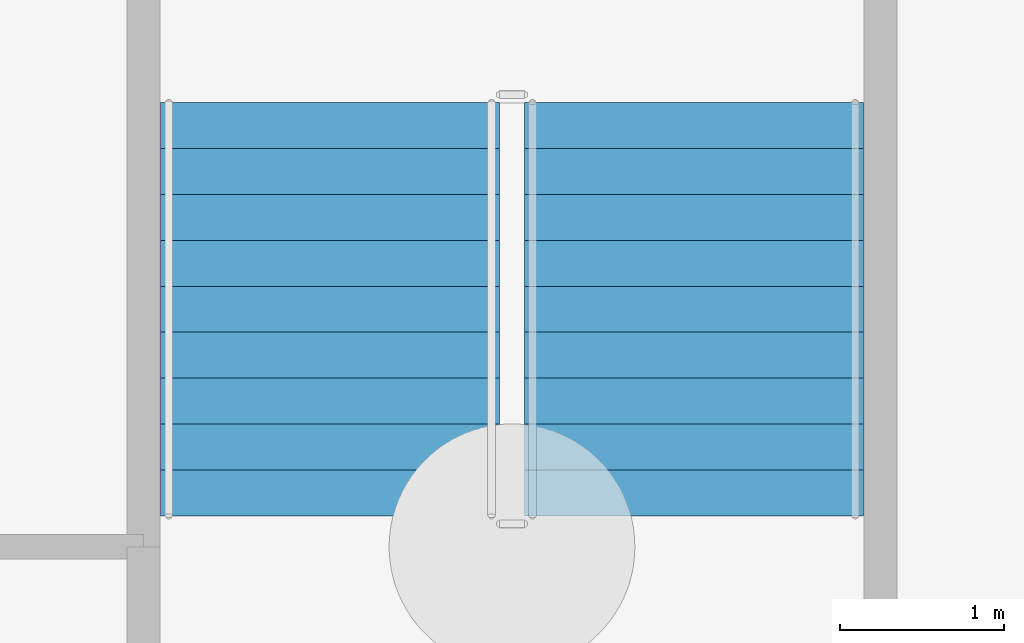
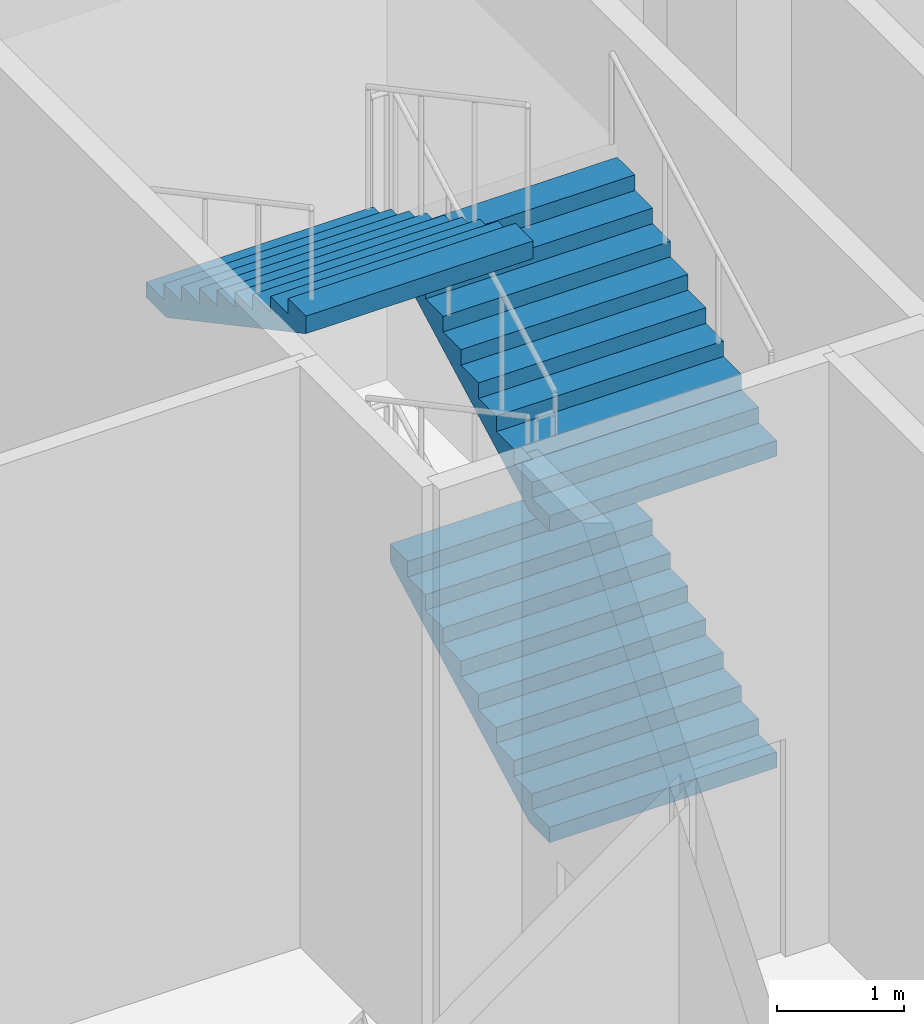
# One storey, part 11 of 25: 3 stair flights, 1 element without a shape of its own.
"""IFC4 building model written with IfcOpenShell, lengths in metres."""

from ifc_helpers import new_model, si_unit, direction, frame, origin, place, context, subcontext, project, spatial, polygons, material, type_object, element, aggregate, save


model = new_model("IFC4")

# Units and contexts
model_context = context("Model", 3, precision=1e-05, world=origin(), true_north=direction((0.0, 1.0)))
body_context = subcontext(model_context, "Body", "Model", "MODEL_VIEW")
ifc_project = project(units=[si_unit("LENGTHUNIT", "METRE"), si_unit("AREAUNIT", "SQUARE_METRE"), si_unit("VOLUMEUNIT", "CUBIC_METRE"), si_unit("PLANEANGLEUNIT", "RADIAN"), si_unit("MASSUNIT", "GRAM", prefix="KILO")], contexts=[model_context])

# Site, building, storey
site_placement = place(None, origin())
site = spatial("IfcSite", under=ifc_project, at=site_placement, CompositionType="ELEMENT")
building_placement = place(site_placement, origin())
building = spatial("IfcBuilding", under=site, at=building_placement, Name="Caravel Reach Hotel and Residences", CompositionType="ELEMENT")
storey_placement = place(building_placement, frame((0.0, 0.0, -6.0)))
storey = spatial("IfcBuildingStorey", under=building, at=storey_placement, Name="B1", CompositionType="ELEMENT", Elevation=-6.0)

# Stair, stair flights
ifc_material_1 = material(Name="Concrete C40", Category="concrete")
stair_type = type_object("IfcStairType", Name="Core stair", PredefinedType="HALF_TURN_STAIR", material=ifc_material_1)
stair_placement = place(storey_placement, origin())
stair = element("IfcStair", 1, at=stair_placement, inside=storey, type_object=stair_type, Name="B1 Exit stair P4", PredefinedType="HALF_TURN_STAIR")
ifc_material_2 = material(Name="Concrete C40", Category="concrete")
stair_flight_type = type_object("IfcStairFlightType", Name="Core stair flight", PredefinedType="STRAIGHT", material=ifc_material_2)
stair_flight_1_placement = place(storey_placement, frame((55.110107421875, 13.68994140625, 0.0), z_axis=(0.0, 0.0, 1.0), x_axis=(0.0, 1.0, 0.0)))
stair_flight_1 = element("IfcStairFlight", 2, at=stair_flight_1_placement, type_object=stair_flight_type, Name="ST-P4 flight 1", NumberOfRisers=10, NumberOfTreads=9, PredefinedType="STRAIGHT", RiserHeight=0.15, TreadLength=0.28, context=body_context, shape_type="Tessellation", body=[
    polygons([(0.3174408016601862, 1.0350341796875, 0.0), (0.3174408016601862, 0.6900227864583333, 0.0), (0.3174408016601862, 0.34501139322916663, 0.0), (0.3174408016601862, 0.0, 0.0), (0.3174408016601862, -0.34501139322916674, 0.0), (0.3174408016601862, -0.6900227864583333, 0.0), (0.3174408016601862, -1.0350341796875, 0.0), (2.5210000000000004, 1.0350341796875, 1.1799424276820432), (2.5210000000000004, 0.6900227864583333, 1.1799424276820432), (2.5210000000000004, 0.34501139322916663, 1.1799424276820432), (2.5210000000000004, 0.0, 1.1799424276820432), (2.5210000000000004, -0.34501139322916674, 1.1799424276820432), (2.5210000000000004, -0.6900227864583333, 1.1799424276820432), (2.5210000000000004, -1.0350341796875, 1.1799424276820432), (2.5210000000000004, 1.0350341796875, 1.3499999999999999), (2.5210000000000004, 0.6900227864583333, 1.3499999999999999), (2.5210000000000004, 0.34501139322916663, 1.3499999999999999), (2.5210000000000004, 0.0, 1.3499999999999999), (2.5210000000000004, -0.34501139322916674, 1.3499999999999999), (2.5210000000000004, -0.6900227864583333, 1.3499999999999999), (2.5210000000000004, -1.0350341796875, 1.3499999999999999), (2.24, 1.0350341796875, 1.3499999999999999), (2.24, 0.6900227864583333, 1.3499999999999999), (2.24, 0.34501139322916663, 1.3499999999999999), (2.24, 0.0, 1.3499999999999999), (2.24, -0.34501139322916674, 1.3499999999999999), (2.24, -0.6900227864583333, 1.3499999999999999), (2.24, -1.0350341796875, 1.3499999999999999), (2.24, 1.0350341796875, 1.2), (2.24, 0.6900227864583333, 1.2), (2.24, 0.34501139322916663, 1.2), (2.24, 0.0, 1.2), (2.24, -0.34501139322916674, 1.2), (2.24, -0.6900227864583333, 1.2), (2.24, -1.0350341796875, 1.2), (1.9600000000000002, 1.0350341796875, 1.2), (1.9600000000000002, 0.6900227864583333, 1.2), (1.9600000000000002, 0.34501139322916663, 1.2), (1.9600000000000002, 0.0, 1.2), (1.9600000000000002, -0.34501139322916674, 1.2), (1.9600000000000002, -0.6900227864583333, 1.2), (1.9600000000000002, -1.0350341796875, 1.2), (1.9600000000000002, 1.0350341796875, 1.05), (1.9600000000000002, 0.6900227864583333, 1.05), (1.9600000000000002, 0.34501139322916663, 1.05), (1.9600000000000002, 0.0, 1.05), (1.9600000000000002, -0.34501139322916674, 1.05), (1.9600000000000002, -0.6900227864583333, 1.05), (1.9600000000000002, -1.0350341796875, 1.05), (1.6800000000000002, 1.0350341796875, 1.05), (1.6800000000000002, 0.6900227864583333, 1.05), (1.6800000000000002, 0.34501139322916663, 1.05), (1.6800000000000002, 0.0, 1.05), (1.6800000000000002, -0.34501139322916674, 1.05), (1.6800000000000002, -0.6900227864583333, 1.05), (1.6800000000000002, -1.0350341796875, 1.05), (1.6800000000000002, 1.0350341796875, 0.8999999999999999), (1.6800000000000002, 0.6900227864583333, 0.8999999999999999), (1.6800000000000002, 0.34501139322916663, 0.8999999999999999), (1.6800000000000002, 0.0, 0.8999999999999999), (1.6800000000000002, -0.34501139322916674, 0.8999999999999999), (1.6800000000000002, -0.6900227864583333, 0.8999999999999999), (1.6800000000000002, -1.0350341796875, 0.8999999999999999), (1.4000000000000001, 1.0350341796875, 0.8999999999999999), (1.4000000000000001, 0.6900227864583333, 0.8999999999999999), (1.4000000000000001, 0.34501139322916663, 0.8999999999999999), (1.4000000000000001, 0.0, 0.8999999999999999), (1.4000000000000001, -0.34501139322916674, 0.8999999999999999), (1.4000000000000001, -0.6900227864583333, 0.8999999999999999), (1.4000000000000001, -1.0350341796875, 0.8999999999999999), (1.4000000000000001, 1.0350341796875, 0.75), (1.4000000000000001, 0.6900227864583333, 0.75), (1.4000000000000001, 0.34501139322916663, 0.75), (1.4000000000000001, 0.0, 0.75), (1.4000000000000001, -0.34501139322916674, 0.75), (1.4000000000000001, -0.6900227864583333, 0.75), (1.4000000000000001, -1.0350341796875, 0.75), (1.12, 1.0350341796875, 0.75), (1.12, 0.6900227864583333, 0.75), (1.12, 0.34501139322916663, 0.75), (1.12, 0.0, 0.75), (1.12, -0.34501139322916674, 0.75), (1.12, -0.6900227864583333, 0.75), (1.12, -1.0350341796875, 0.75), (1.12, 1.0350341796875, 0.6), (1.12, 0.6900227864583333, 0.6), (1.12, 0.34501139322916663, 0.6), (1.12, 0.0, 0.6), (1.12, -0.34501139322916674, 0.6), (1.12, -0.6900227864583333, 0.6), (1.12, -1.0350341796875, 0.6), (0.8400000000000001, 1.0350341796875, 0.6), (0.8400000000000001, 0.6900227864583333, 0.6), (0.8400000000000001, 0.34501139322916663, 0.6), (0.8400000000000001, 0.0, 0.6), (0.8400000000000001, -0.34501139322916674, 0.6), (0.8400000000000001, -0.6900227864583333, 0.6), (0.8400000000000001, -1.0350341796875, 0.6), (0.8400000000000001, 1.0350341796875, 0.44999999999999996), (0.8400000000000001, 0.6900227864583333, 0.44999999999999996), (0.8400000000000001, 0.34501139322916663, 0.44999999999999996), (0.8400000000000001, 0.0, 0.44999999999999996), (0.8400000000000001, -0.34501139322916674, 0.44999999999999996), (0.8400000000000001, -0.6900227864583333, 0.44999999999999996), (0.8400000000000001, -1.0350341796875, 0.44999999999999996), (0.56, 1.0350341796875, 0.44999999999999996), (0.56, 0.6900227864583333, 0.44999999999999996), (0.56, 0.34501139322916663, 0.44999999999999996), (0.56, 0.0, 0.44999999999999996), (0.56, -0.34501139322916674, 0.44999999999999996), (0.56, -0.6900227864583333, 0.44999999999999996), (0.56, -1.0350341796875, 0.44999999999999996), (0.56, 1.0350341796875, 0.3), (0.56, 0.6900227864583333, 0.3), (0.56, 0.34501139322916663, 0.3), (0.56, 0.0, 0.3), (0.56, -0.34501139322916674, 0.3), (0.56, -0.6900227864583333, 0.3), (0.56, -1.0350341796875, 0.3), (0.28, 1.0350341796875, 0.3), (0.28, 0.6900227864583333, 0.3), (0.28, 0.34501139322916663, 0.3), (0.28, 0.0, 0.3), (0.28, -0.34501139322916674, 0.3), (0.28, -0.6900227864583333, 0.3), (0.28, -1.0350341796875, 0.3), (0.28, 1.0350341796875, 0.15), (0.28, 0.6900227864583333, 0.15), (0.28, 0.34501139322916663, 0.15), (0.28, 0.0, 0.15), (0.28, -0.34501139322916674, 0.15), (0.28, -0.6900227864583333, 0.15), (0.28, -1.0350341796875, 0.15), (-0.001, 1.0350341796875, 0.15), (-0.001, 0.6900227864583333, 0.15), (-0.001, 0.34501139322916663, 0.15), (-0.001, 0.0, 0.15), (-0.001, -0.34501139322916674, 0.15), (-0.001, -0.6900227864583333, 0.15), (-0.001, -1.0350341796875, 0.15), (-0.001, 1.0350341796875, 0.0), (-0.001, 0.6900227864583333, 0.0), (-0.001, 0.34501139322916663, 0.0), (-0.001, 0.0, 0.0), (-0.001, -0.34501139322916674, 0.0), (-0.001, -0.6900227864583333, 0.0), (-0.001, -1.0350341796875, 0.0)], [[[141, 134, 127, 120, 113, 106, 99, 92, 85, 78, 71, 64, 57, 50, 43, 36, 29, 22, 15, 8, 1]], [[7, 14, 21, 28, 35, 42, 49, 56, 63, 70, 77, 84, 91, 98, 105, 112, 119, 126, 133, 140, 147]], [[1, 8, 9, 2]], [[2, 9, 10, 3]], [[3, 10, 11, 4]], [[4, 11, 12, 5]], [[5, 12, 13, 6]], [[6, 13, 14, 7]], [[8, 15, 16, 9]], [[9, 16, 17, 10]], [[10, 17, 18, 11]], [[11, 18, 19, 12]], [[12, 19, 20, 13]], [[13, 20, 21, 14]], [[15, 22, 23, 16]], [[16, 23, 24, 17]], [[17, 24, 25, 18]], [[18, 25, 26, 19]], [[19, 26, 27, 20]], [[20, 27, 28, 21]], [[22, 29, 30, 23]], [[23, 30, 31, 24]], [[24, 31, 32, 25]], [[25, 32, 33, 26]], [[26, 33, 34, 27]], [[27, 34, 35, 28]], [[29, 36, 37, 30]], [[30, 37, 38, 31]], [[31, 38, 39, 32]], [[32, 39, 40, 33]], [[33, 40, 41, 34]], [[34, 41, 42, 35]], [[36, 43, 44, 37]], [[37, 44, 45, 38]], [[38, 45, 46, 39]], [[39, 46, 47, 40]], [[40, 47, 48, 41]], [[41, 48, 49, 42]], [[43, 50, 51, 44]], [[44, 51, 52, 45]], [[45, 52, 53, 46]], [[46, 53, 54, 47]], [[47, 54, 55, 48]], [[48, 55, 56, 49]], [[50, 57, 58, 51]], [[51, 58, 59, 52]], [[52, 59, 60, 53]], [[53, 60, 61, 54]], [[54, 61, 62, 55]], [[55, 62, 63, 56]], [[57, 64, 65, 58]], [[58, 65, 66, 59]], [[59, 66, 67, 60]], [[60, 67, 68, 61]], [[61, 68, 69, 62]], [[62, 69, 70, 63]], [[64, 71, 72, 65]], [[65, 72, 73, 66]], [[66, 73, 74, 67]], [[67, 74, 75, 68]], [[68, 75, 76, 69]], [[69, 76, 77, 70]], [[71, 78, 79, 72]], [[72, 79, 80, 73]], [[73, 80, 81, 74]], [[74, 81, 82, 75]], [[75, 82, 83, 76]], [[76, 83, 84, 77]], [[78, 85, 86, 79]], [[79, 86, 87, 80]], [[80, 87, 88, 81]], [[81, 88, 89, 82]], [[82, 89, 90, 83]], [[83, 90, 91, 84]], [[85, 92, 93, 86]], [[86, 93, 94, 87]], [[87, 94, 95, 88]], [[88, 95, 96, 89]], [[89, 96, 97, 90]], [[90, 97, 98, 91]], [[92, 99, 100, 93]], [[93, 100, 101, 94]], [[94, 101, 102, 95]], [[95, 102, 103, 96]], [[96, 103, 104, 97]], [[97, 104, 105, 98]], [[99, 106, 107, 100]], [[100, 107, 108, 101]], [[101, 108, 109, 102]], [[102, 109, 110, 103]], [[103, 110, 111, 104]], [[104, 111, 112, 105]], [[106, 113, 114, 107]], [[107, 114, 115, 108]], [[108, 115, 116, 109]], [[109, 116, 117, 110]], [[110, 117, 118, 111]], [[111, 118, 119, 112]], [[113, 120, 121, 114]], [[114, 121, 122, 115]], [[115, 122, 123, 116]], [[116, 123, 124, 117]], [[117, 124, 125, 118]], [[118, 125, 126, 119]], [[120, 127, 128, 121]], [[121, 128, 129, 122]], [[122, 129, 130, 123]], [[123, 130, 131, 124]], [[124, 131, 132, 125]], [[125, 132, 133, 126]], [[127, 134, 135, 128]], [[128, 135, 136, 129]], [[129, 136, 137, 130]], [[130, 137, 138, 131]], [[131, 138, 139, 132]], [[132, 139, 140, 133]], [[134, 141, 142, 135]], [[135, 142, 143, 136]], [[136, 143, 144, 137]], [[137, 144, 145, 138]], [[138, 145, 146, 139]], [[139, 146, 147, 140]], [[141, 1, 2, 142]], [[142, 2, 3, 143]], [[143, 3, 4, 144]], [[144, 4, 5, 145]], [[145, 5, 6, 146]], [[146, 6, 7, 147]]], closed=True),
])
stair_flight_2_placement = place(storey_placement, frame((55.110107421875, 13.68994140625, 3.0), z_axis=(0.0, 0.0, 1.0), x_axis=(0.0, 1.0, 0.0)))
stair_flight_2 = element("IfcStairFlight", 3, at=stair_flight_2_placement, type_object=stair_flight_type, Name="ST-P4 flight 3", NumberOfRisers=10, NumberOfTreads=9, PredefinedType="STRAIGHT", RiserHeight=0.15, TreadLength=0.28, context=body_context, shape_type="Tessellation", body=[
    polygons([(0.3174408016601862, 1.0350341796875, 0.0), (0.3174408016601862, 0.6900227864583333, 0.0), (0.3174408016601862, 0.34501139322916663, 0.0), (0.3174408016601862, 0.0, 0.0), (0.3174408016601862, -0.34501139322916674, 0.0), (0.3174408016601862, -0.6900227864583333, 0.0), (0.3174408016601862, -1.0350341796875, 0.0), (2.5210000000000004, 1.0350341796875, 1.1799424276820432), (2.5210000000000004, 0.6900227864583333, 1.1799424276820432), (2.5210000000000004, 0.34501139322916663, 1.1799424276820432), (2.5210000000000004, 0.0, 1.1799424276820432), (2.5210000000000004, -0.34501139322916674, 1.1799424276820432), (2.5210000000000004, -0.6900227864583333, 1.1799424276820432), (2.5210000000000004, -1.0350341796875, 1.1799424276820432), (2.5210000000000004, 1.0350341796875, 1.3499999999999999), (2.5210000000000004, 0.6900227864583333, 1.3499999999999999), (2.5210000000000004, 0.34501139322916663, 1.3499999999999999), (2.5210000000000004, 0.0, 1.3499999999999999), (2.5210000000000004, -0.34501139322916674, 1.3499999999999999), (2.5210000000000004, -0.6900227864583333, 1.3499999999999999), (2.5210000000000004, -1.0350341796875, 1.3499999999999999), (2.24, 1.0350341796875, 1.3499999999999999), (2.24, 0.6900227864583333, 1.3499999999999999), (2.24, 0.34501139322916663, 1.3499999999999999), (2.24, 0.0, 1.3499999999999999), (2.24, -0.34501139322916674, 1.3499999999999999), (2.24, -0.6900227864583333, 1.3499999999999999), (2.24, -1.0350341796875, 1.3499999999999999), (2.24, 1.0350341796875, 1.2), (2.24, 0.6900227864583333, 1.2), (2.24, 0.34501139322916663, 1.2), (2.24, 0.0, 1.2), (2.24, -0.34501139322916674, 1.2), (2.24, -0.6900227864583333, 1.2), (2.24, -1.0350341796875, 1.2), (1.9600000000000002, 1.0350341796875, 1.2), (1.9600000000000002, 0.6900227864583333, 1.2), (1.9600000000000002, 0.34501139322916663, 1.2), (1.9600000000000002, 0.0, 1.2), (1.9600000000000002, -0.34501139322916674, 1.2), (1.9600000000000002, -0.6900227864583333, 1.2), (1.9600000000000002, -1.0350341796875, 1.2), (1.9600000000000002, 1.0350341796875, 1.05), (1.9600000000000002, 0.6900227864583333, 1.05), (1.9600000000000002, 0.34501139322916663, 1.05), (1.9600000000000002, 0.0, 1.05), (1.9600000000000002, -0.34501139322916674, 1.05), (1.9600000000000002, -0.6900227864583333, 1.05), (1.9600000000000002, -1.0350341796875, 1.05), (1.6800000000000002, 1.0350341796875, 1.05), (1.6800000000000002, 0.6900227864583333, 1.05), (1.6800000000000002, 0.34501139322916663, 1.05), (1.6800000000000002, 0.0, 1.05), (1.6800000000000002, -0.34501139322916674, 1.05), (1.6800000000000002, -0.6900227864583333, 1.05), (1.6800000000000002, -1.0350341796875, 1.05), (1.6800000000000002, 1.0350341796875, 0.8999999999999999), (1.6800000000000002, 0.6900227864583333, 0.8999999999999999), (1.6800000000000002, 0.34501139322916663, 0.8999999999999999), (1.6800000000000002, 0.0, 0.8999999999999999), (1.6800000000000002, -0.34501139322916674, 0.8999999999999999), (1.6800000000000002, -0.6900227864583333, 0.8999999999999999), (1.6800000000000002, -1.0350341796875, 0.8999999999999999), (1.4000000000000001, 1.0350341796875, 0.8999999999999999), (1.4000000000000001, 0.6900227864583333, 0.8999999999999999), (1.4000000000000001, 0.34501139322916663, 0.8999999999999999), (1.4000000000000001, 0.0, 0.8999999999999999), (1.4000000000000001, -0.34501139322916674, 0.8999999999999999), (1.4000000000000001, -0.6900227864583333, 0.8999999999999999), (1.4000000000000001, -1.0350341796875, 0.8999999999999999), (1.4000000000000001, 1.0350341796875, 0.75), (1.4000000000000001, 0.6900227864583333, 0.75), (1.4000000000000001, 0.34501139322916663, 0.75), (1.4000000000000001, 0.0, 0.75), (1.4000000000000001, -0.34501139322916674, 0.75), (1.4000000000000001, -0.6900227864583333, 0.75), (1.4000000000000001, -1.0350341796875, 0.75), (1.12, 1.0350341796875, 0.75), (1.12, 0.6900227864583333, 0.75), (1.12, 0.34501139322916663, 0.75), (1.12, 0.0, 0.75), (1.12, -0.34501139322916674, 0.75), (1.12, -0.6900227864583333, 0.75), (1.12, -1.0350341796875, 0.75), (1.12, 1.0350341796875, 0.6), (1.12, 0.6900227864583333, 0.6), (1.12, 0.34501139322916663, 0.6), (1.12, 0.0, 0.6), (1.12, -0.34501139322916674, 0.6), (1.12, -0.6900227864583333, 0.6), (1.12, -1.0350341796875, 0.6), (0.8400000000000001, 1.0350341796875, 0.6), (0.8400000000000001, 0.6900227864583333, 0.6), (0.8400000000000001, 0.34501139322916663, 0.6), (0.8400000000000001, 0.0, 0.6), (0.8400000000000001, -0.34501139322916674, 0.6), (0.8400000000000001, -0.6900227864583333, 0.6), (0.8400000000000001, -1.0350341796875, 0.6), (0.8400000000000001, 1.0350341796875, 0.44999999999999996), (0.8400000000000001, 0.6900227864583333, 0.44999999999999996), (0.8400000000000001, 0.34501139322916663, 0.44999999999999996), (0.8400000000000001, 0.0, 0.44999999999999996), (0.8400000000000001, -0.34501139322916674, 0.44999999999999996), (0.8400000000000001, -0.6900227864583333, 0.44999999999999996), (0.8400000000000001, -1.0350341796875, 0.44999999999999996), (0.56, 1.0350341796875, 0.44999999999999996), (0.56, 0.6900227864583333, 0.44999999999999996), (0.56, 0.34501139322916663, 0.44999999999999996), (0.56, 0.0, 0.44999999999999996), (0.56, -0.34501139322916674, 0.44999999999999996), (0.56, -0.6900227864583333, 0.44999999999999996), (0.56, -1.0350341796875, 0.44999999999999996), (0.56, 1.0350341796875, 0.3), (0.56, 0.6900227864583333, 0.3), (0.56, 0.34501139322916663, 0.3), (0.56, 0.0, 0.3), (0.56, -0.34501139322916674, 0.3), (0.56, -0.6900227864583333, 0.3), (0.56, -1.0350341796875, 0.3), (0.28, 1.0350341796875, 0.3), (0.28, 0.6900227864583333, 0.3), (0.28, 0.34501139322916663, 0.3), (0.28, 0.0, 0.3), (0.28, -0.34501139322916674, 0.3), (0.28, -0.6900227864583333, 0.3), (0.28, -1.0350341796875, 0.3), (0.28, 1.0350341796875, 0.15), (0.28, 0.6900227864583333, 0.15), (0.28, 0.34501139322916663, 0.15), (0.28, 0.0, 0.15), (0.28, -0.34501139322916674, 0.15), (0.28, -0.6900227864583333, 0.15), (0.28, -1.0350341796875, 0.15), (-0.001, 1.0350341796875, 0.15), (-0.001, 0.6900227864583333, 0.15), (-0.001, 0.34501139322916663, 0.15), (-0.001, 0.0, 0.15), (-0.001, -0.34501139322916674, 0.15), (-0.001, -0.6900227864583333, 0.15), (-0.001, -1.0350341796875, 0.15), (-0.001, 1.0350341796875, 0.0), (-0.001, 0.6900227864583333, 0.0), (-0.001, 0.34501139322916663, 0.0), (-0.001, 0.0, 0.0), (-0.001, -0.34501139322916674, 0.0), (-0.001, -0.6900227864583333, 0.0), (-0.001, -1.0350341796875, 0.0)], [[[141, 134, 127, 120, 113, 106, 99, 92, 85, 78, 71, 64, 57, 50, 43, 36, 29, 22, 15, 8, 1]], [[7, 14, 21, 28, 35, 42, 49, 56, 63, 70, 77, 84, 91, 98, 105, 112, 119, 126, 133, 140, 147]], [[1, 8, 9, 2]], [[2, 9, 10, 3]], [[3, 10, 11, 4]], [[4, 11, 12, 5]], [[5, 12, 13, 6]], [[6, 13, 14, 7]], [[8, 15, 16, 9]], [[9, 16, 17, 10]], [[10, 17, 18, 11]], [[11, 18, 19, 12]], [[12, 19, 20, 13]], [[13, 20, 21, 14]], [[15, 22, 23, 16]], [[16, 23, 24, 17]], [[17, 24, 25, 18]], [[18, 25, 26, 19]], [[19, 26, 27, 20]], [[20, 27, 28, 21]], [[22, 29, 30, 23]], [[23, 30, 31, 24]], [[24, 31, 32, 25]], [[25, 32, 33, 26]], [[26, 33, 34, 27]], [[27, 34, 35, 28]], [[29, 36, 37, 30]], [[30, 37, 38, 31]], [[31, 38, 39, 32]], [[32, 39, 40, 33]], [[33, 40, 41, 34]], [[34, 41, 42, 35]], [[36, 43, 44, 37]], [[37, 44, 45, 38]], [[38, 45, 46, 39]], [[39, 46, 47, 40]], [[40, 47, 48, 41]], [[41, 48, 49, 42]], [[43, 50, 51, 44]], [[44, 51, 52, 45]], [[45, 52, 53, 46]], [[46, 53, 54, 47]], [[47, 54, 55, 48]], [[48, 55, 56, 49]], [[50, 57, 58, 51]], [[51, 58, 59, 52]], [[52, 59, 60, 53]], [[53, 60, 61, 54]], [[54, 61, 62, 55]], [[55, 62, 63, 56]], [[57, 64, 65, 58]], [[58, 65, 66, 59]], [[59, 66, 67, 60]], [[60, 67, 68, 61]], [[61, 68, 69, 62]], [[62, 69, 70, 63]], [[64, 71, 72, 65]], [[65, 72, 73, 66]], [[66, 73, 74, 67]], [[67, 74, 75, 68]], [[68, 75, 76, 69]], [[69, 76, 77, 70]], [[71, 78, 79, 72]], [[72, 79, 80, 73]], [[73, 80, 81, 74]], [[74, 81, 82, 75]], [[75, 82, 83, 76]], [[76, 83, 84, 77]], [[78, 85, 86, 79]], [[79, 86, 87, 80]], [[80, 87, 88, 81]], [[81, 88, 89, 82]], [[82, 89, 90, 83]], [[83, 90, 91, 84]], [[85, 92, 93, 86]], [[86, 93, 94, 87]], [[87, 94, 95, 88]], [[88, 95, 96, 89]], [[89, 96, 97, 90]], [[90, 97, 98, 91]], [[92, 99, 100, 93]], [[93, 100, 101, 94]], [[94, 101, 102, 95]], [[95, 102, 103, 96]], [[96, 103, 104, 97]], [[97, 104, 105, 98]], [[99, 106, 107, 100]], [[100, 107, 108, 101]], [[101, 108, 109, 102]], [[102, 109, 110, 103]], [[103, 110, 111, 104]], [[104, 111, 112, 105]], [[106, 113, 114, 107]], [[107, 114, 115, 108]], [[108, 115, 116, 109]], [[109, 116, 117, 110]], [[110, 117, 118, 111]], [[111, 118, 119, 112]], [[113, 120, 121, 114]], [[114, 121, 122, 115]], [[115, 122, 123, 116]], [[116, 123, 124, 117]], [[117, 124, 125, 118]], [[118, 125, 126, 119]], [[120, 127, 128, 121]], [[121, 128, 129, 122]], [[122, 129, 130, 123]], [[123, 130, 131, 124]], [[124, 131, 132, 125]], [[125, 132, 133, 126]], [[127, 134, 135, 128]], [[128, 135, 136, 129]], [[129, 136, 137, 130]], [[130, 137, 138, 131]], [[131, 138, 139, 132]], [[132, 139, 140, 133]], [[134, 141, 142, 135]], [[135, 142, 143, 136]], [[136, 143, 144, 137]], [[137, 144, 145, 138]], [[138, 145, 146, 139]], [[139, 146, 147, 140]], [[141, 1, 2, 142]], [[142, 2, 3, 143]], [[143, 3, 4, 144]], [[144, 4, 5, 145]], [[145, 5, 6, 146]], [[146, 6, 7, 147]]], closed=True),
])
stair_flight_3_placement = place(storey_placement, frame((52.889892578125, 16.2099609375, 4.5), z_axis=(0.0, 0.0, 1.0), x_axis=(0.0, -1.0, 0.0)))
stair_flight_3 = element("IfcStairFlight", 4, at=stair_flight_3_placement, type_object=stair_flight_type, Name="ST-P4 flight 4", NumberOfRisers=10, NumberOfTreads=9, PredefinedType="STRAIGHT", RiserHeight=0.15, TreadLength=0.28, context=body_context, shape_type="Tessellation", body=[
    polygons([(0.3174408016601862, 1.0350341796875, 0.0), (0.3174408016601862, 0.6900227864583333, 0.0), (0.3174408016601862, 0.34501139322916663, 0.0), (0.3174408016601862, 0.0, 0.0), (0.3174408016601862, -0.34501139322916674, 0.0), (0.3174408016601862, -0.6900227864583333, 0.0), (0.3174408016601862, -1.0350341796875, 0.0), (2.5210000000000004, 1.0350341796875, 1.1799424276820432), (2.5210000000000004, 0.6900227864583333, 1.1799424276820432), (2.5210000000000004, 0.34501139322916663, 1.1799424276820432), (2.5210000000000004, 0.0, 1.1799424276820432), (2.5210000000000004, -0.34501139322916674, 1.1799424276820432), (2.5210000000000004, -0.6900227864583333, 1.1799424276820432), (2.5210000000000004, -1.0350341796875, 1.1799424276820432), (2.5210000000000004, 1.0350341796875, 1.3499999999999999), (2.5210000000000004, 0.6900227864583333, 1.3499999999999999), (2.5210000000000004, 0.34501139322916663, 1.3499999999999999), (2.5210000000000004, 0.0, 1.3499999999999999), (2.5210000000000004, -0.34501139322916674, 1.3499999999999999), (2.5210000000000004, -0.6900227864583333, 1.3499999999999999), (2.5210000000000004, -1.0350341796875, 1.3499999999999999), (2.24, 1.0350341796875, 1.3499999999999999), (2.24, 0.6900227864583333, 1.3499999999999999), (2.24, 0.34501139322916663, 1.3499999999999999), (2.24, 0.0, 1.3499999999999999), (2.24, -0.34501139322916674, 1.3499999999999999), (2.24, -0.6900227864583333, 1.3499999999999999), (2.24, -1.0350341796875, 1.3499999999999999), (2.24, 1.0350341796875, 1.2), (2.24, 0.6900227864583333, 1.2), (2.24, 0.34501139322916663, 1.2), (2.24, 0.0, 1.2), (2.24, -0.34501139322916674, 1.2), (2.24, -0.6900227864583333, 1.2), (2.24, -1.0350341796875, 1.2), (1.9600000000000002, 1.0350341796875, 1.2), (1.9600000000000002, 0.6900227864583333, 1.2), (1.9600000000000002, 0.34501139322916663, 1.2), (1.9600000000000002, 0.0, 1.2), (1.9600000000000002, -0.34501139322916674, 1.2), (1.9600000000000002, -0.6900227864583333, 1.2), (1.9600000000000002, -1.0350341796875, 1.2), (1.9600000000000002, 1.0350341796875, 1.05), (1.9600000000000002, 0.6900227864583333, 1.05), (1.9600000000000002, 0.34501139322916663, 1.05), (1.9600000000000002, 0.0, 1.05), (1.9600000000000002, -0.34501139322916674, 1.05), (1.9600000000000002, -0.6900227864583333, 1.05), (1.9600000000000002, -1.0350341796875, 1.05), (1.6800000000000002, 1.0350341796875, 1.05), (1.6800000000000002, 0.6900227864583333, 1.05), (1.6800000000000002, 0.34501139322916663, 1.05), (1.6800000000000002, 0.0, 1.05), (1.6800000000000002, -0.34501139322916674, 1.05), (1.6800000000000002, -0.6900227864583333, 1.05), (1.6800000000000002, -1.0350341796875, 1.05), (1.6800000000000002, 1.0350341796875, 0.8999999999999999), (1.6800000000000002, 0.6900227864583333, 0.8999999999999999), (1.6800000000000002, 0.34501139322916663, 0.8999999999999999), (1.6800000000000002, 0.0, 0.8999999999999999), (1.6800000000000002, -0.34501139322916674, 0.8999999999999999), (1.6800000000000002, -0.6900227864583333, 0.8999999999999999), (1.6800000000000002, -1.0350341796875, 0.8999999999999999), (1.4000000000000001, 1.0350341796875, 0.8999999999999999), (1.4000000000000001, 0.6900227864583333, 0.8999999999999999), (1.4000000000000001, 0.34501139322916663, 0.8999999999999999), (1.4000000000000001, 0.0, 0.8999999999999999), (1.4000000000000001, -0.34501139322916674, 0.8999999999999999), (1.4000000000000001, -0.6900227864583333, 0.8999999999999999), (1.4000000000000001, -1.0350341796875, 0.8999999999999999), (1.4000000000000001, 1.0350341796875, 0.75), (1.4000000000000001, 0.6900227864583333, 0.75), (1.4000000000000001, 0.34501139322916663, 0.75), (1.4000000000000001, 0.0, 0.75), (1.4000000000000001, -0.34501139322916674, 0.75), (1.4000000000000001, -0.6900227864583333, 0.75), (1.4000000000000001, -1.0350341796875, 0.75), (1.12, 1.0350341796875, 0.75), (1.12, 0.6900227864583333, 0.75), (1.12, 0.34501139322916663, 0.75), (1.12, 0.0, 0.75), (1.12, -0.34501139322916674, 0.75), (1.12, -0.6900227864583333, 0.75), (1.12, -1.0350341796875, 0.75), (1.12, 1.0350341796875, 0.6), (1.12, 0.6900227864583333, 0.6), (1.12, 0.34501139322916663, 0.6), (1.12, 0.0, 0.6), (1.12, -0.34501139322916674, 0.6), (1.12, -0.6900227864583333, 0.6), (1.12, -1.0350341796875, 0.6), (0.8400000000000001, 1.0350341796875, 0.6), (0.8400000000000001, 0.6900227864583333, 0.6), (0.8400000000000001, 0.34501139322916663, 0.6), (0.8400000000000001, 0.0, 0.6), (0.8400000000000001, -0.34501139322916674, 0.6), (0.8400000000000001, -0.6900227864583333, 0.6), (0.8400000000000001, -1.0350341796875, 0.6), (0.8400000000000001, 1.0350341796875, 0.44999999999999996), (0.8400000000000001, 0.6900227864583333, 0.44999999999999996), (0.8400000000000001, 0.34501139322916663, 0.44999999999999996), (0.8400000000000001, 0.0, 0.44999999999999996), (0.8400000000000001, -0.34501139322916674, 0.44999999999999996), (0.8400000000000001, -0.6900227864583333, 0.44999999999999996), (0.8400000000000001, -1.0350341796875, 0.44999999999999996), (0.56, 1.0350341796875, 0.44999999999999996), (0.56, 0.6900227864583333, 0.44999999999999996), (0.56, 0.34501139322916663, 0.44999999999999996), (0.56, 0.0, 0.44999999999999996), (0.56, -0.34501139322916674, 0.44999999999999996), (0.56, -0.6900227864583333, 0.44999999999999996), (0.56, -1.0350341796875, 0.44999999999999996), (0.56, 1.0350341796875, 0.3), (0.56, 0.6900227864583333, 0.3), (0.56, 0.34501139322916663, 0.3), (0.56, 0.0, 0.3), (0.56, -0.34501139322916674, 0.3), (0.56, -0.6900227864583333, 0.3), (0.56, -1.0350341796875, 0.3), (0.28, 1.0350341796875, 0.3), (0.28, 0.6900227864583333, 0.3), (0.28, 0.34501139322916663, 0.3), (0.28, 0.0, 0.3), (0.28, -0.34501139322916674, 0.3), (0.28, -0.6900227864583333, 0.3), (0.28, -1.0350341796875, 0.3), (0.28, 1.0350341796875, 0.15), (0.28, 0.6900227864583333, 0.15), (0.28, 0.34501139322916663, 0.15), (0.28, 0.0, 0.15), (0.28, -0.34501139322916674, 0.15), (0.28, -0.6900227864583333, 0.15), (0.28, -1.0350341796875, 0.15), (-0.001, 1.0350341796875, 0.15), (-0.001, 0.6900227864583333, 0.15), (-0.001, 0.34501139322916663, 0.15), (-0.001, 0.0, 0.15), (-0.001, -0.34501139322916674, 0.15), (-0.001, -0.6900227864583333, 0.15), (-0.001, -1.0350341796875, 0.15), (-0.001, 1.0350341796875, 0.0), (-0.001, 0.6900227864583333, 0.0), (-0.001, 0.34501139322916663, 0.0), (-0.001, 0.0, 0.0), (-0.001, -0.34501139322916674, 0.0), (-0.001, -0.6900227864583333, 0.0), (-0.001, -1.0350341796875, 0.0)], [[[141, 134, 127, 120, 113, 106, 99, 92, 85, 78, 71, 64, 57, 50, 43, 36, 29, 22, 15, 8, 1]], [[7, 14, 21, 28, 35, 42, 49, 56, 63, 70, 77, 84, 91, 98, 105, 112, 119, 126, 133, 140, 147]], [[1, 8, 9, 2]], [[2, 9, 10, 3]], [[3, 10, 11, 4]], [[4, 11, 12, 5]], [[5, 12, 13, 6]], [[6, 13, 14, 7]], [[8, 15, 16, 9]], [[9, 16, 17, 10]], [[10, 17, 18, 11]], [[11, 18, 19, 12]], [[12, 19, 20, 13]], [[13, 20, 21, 14]], [[15, 22, 23, 16]], [[16, 23, 24, 17]], [[17, 24, 25, 18]], [[18, 25, 26, 19]], [[19, 26, 27, 20]], [[20, 27, 28, 21]], [[22, 29, 30, 23]], [[23, 30, 31, 24]], [[24, 31, 32, 25]], [[25, 32, 33, 26]], [[26, 33, 34, 27]], [[27, 34, 35, 28]], [[29, 36, 37, 30]], [[30, 37, 38, 31]], [[31, 38, 39, 32]], [[32, 39, 40, 33]], [[33, 40, 41, 34]], [[34, 41, 42, 35]], [[36, 43, 44, 37]], [[37, 44, 45, 38]], [[38, 45, 46, 39]], [[39, 46, 47, 40]], [[40, 47, 48, 41]], [[41, 48, 49, 42]], [[43, 50, 51, 44]], [[44, 51, 52, 45]], [[45, 52, 53, 46]], [[46, 53, 54, 47]], [[47, 54, 55, 48]], [[48, 55, 56, 49]], [[50, 57, 58, 51]], [[51, 58, 59, 52]], [[52, 59, 60, 53]], [[53, 60, 61, 54]], [[54, 61, 62, 55]], [[55, 62, 63, 56]], [[57, 64, 65, 58]], [[58, 65, 66, 59]], [[59, 66, 67, 60]], [[60, 67, 68, 61]], [[61, 68, 69, 62]], [[62, 69, 70, 63]], [[64, 71, 72, 65]], [[65, 72, 73, 66]], [[66, 73, 74, 67]], [[67, 74, 75, 68]], [[68, 75, 76, 69]], [[69, 76, 77, 70]], [[71, 78, 79, 72]], [[72, 79, 80, 73]], [[73, 80, 81, 74]], [[74, 81, 82, 75]], [[75, 82, 83, 76]], [[76, 83, 84, 77]], [[78, 85, 86, 79]], [[79, 86, 87, 80]], [[80, 87, 88, 81]], [[81, 88, 89, 82]], [[82, 89, 90, 83]], [[83, 90, 91, 84]], [[85, 92, 93, 86]], [[86, 93, 94, 87]], [[87, 94, 95, 88]], [[88, 95, 96, 89]], [[89, 96, 97, 90]], [[90, 97, 98, 91]], [[92, 99, 100, 93]], [[93, 100, 101, 94]], [[94, 101, 102, 95]], [[95, 102, 103, 96]], [[96, 103, 104, 97]], [[97, 104, 105, 98]], [[99, 106, 107, 100]], [[100, 107, 108, 101]], [[101, 108, 109, 102]], [[102, 109, 110, 103]], [[103, 110, 111, 104]], [[104, 111, 112, 105]], [[106, 113, 114, 107]], [[107, 114, 115, 108]], [[108, 115, 116, 109]], [[109, 116, 117, 110]], [[110, 117, 118, 111]], [[111, 118, 119, 112]], [[113, 120, 121, 114]], [[114, 121, 122, 115]], [[115, 122, 123, 116]], [[116, 123, 124, 117]], [[117, 124, 125, 118]], [[118, 125, 126, 119]], [[120, 127, 128, 121]], [[121, 128, 129, 122]], [[122, 129, 130, 123]], [[123, 130, 131, 124]], [[124, 131, 132, 125]], [[125, 132, 133, 126]], [[127, 134, 135, 128]], [[128, 135, 136, 129]], [[129, 136, 137, 130]], [[130, 137, 138, 131]], [[131, 138, 139, 132]], [[132, 139, 140, 133]], [[134, 141, 142, 135]], [[135, 142, 143, 136]], [[136, 143, 144, 137]], [[137, 144, 145, 138]], [[138, 145, 146, 139]], [[139, 146, 147, 140]], [[141, 1, 2, 142]], [[142, 2, 3, 143]], [[143, 3, 4, 144]], [[144, 4, 5, 145]], [[145, 5, 6, 146]], [[146, 6, 7, 147]]], closed=True),
])
aggregate(stair, [stair_flight_1, stair_flight_2, stair_flight_3])

save(model, "model.ifc")
